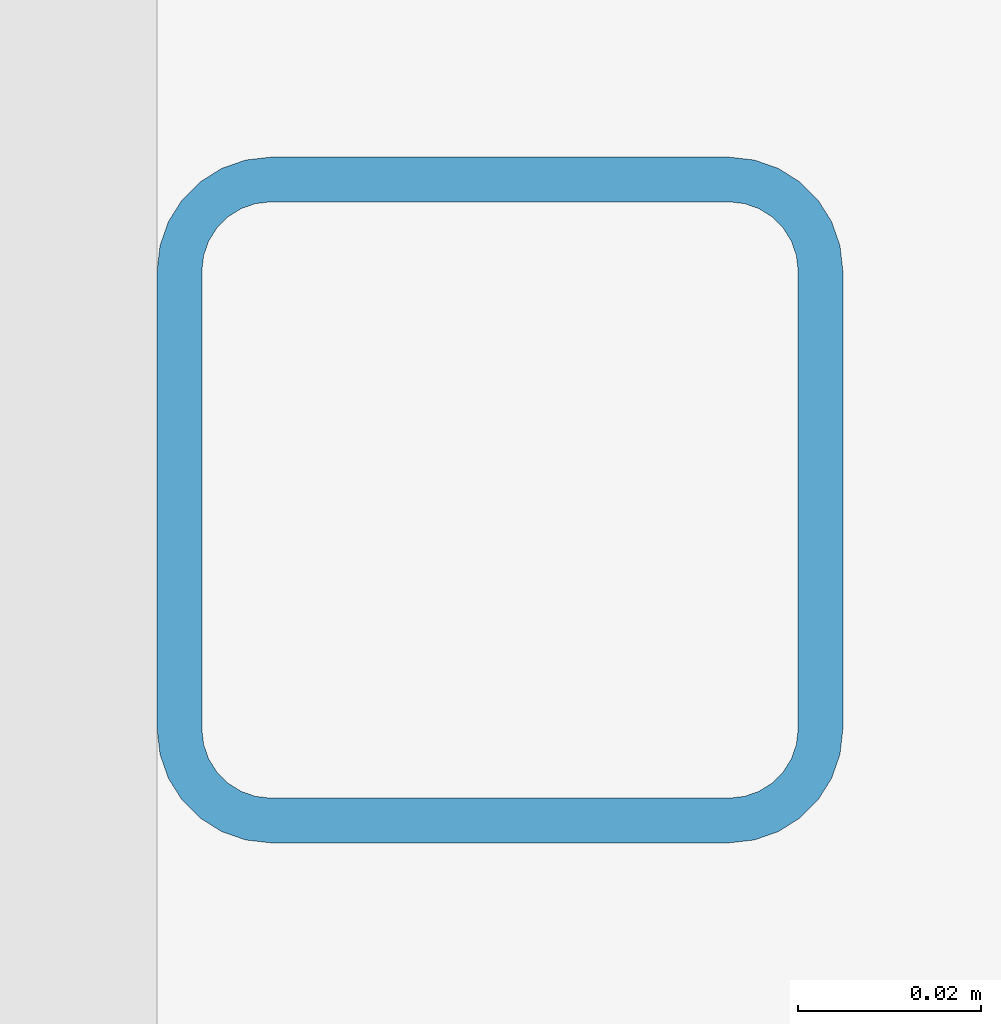
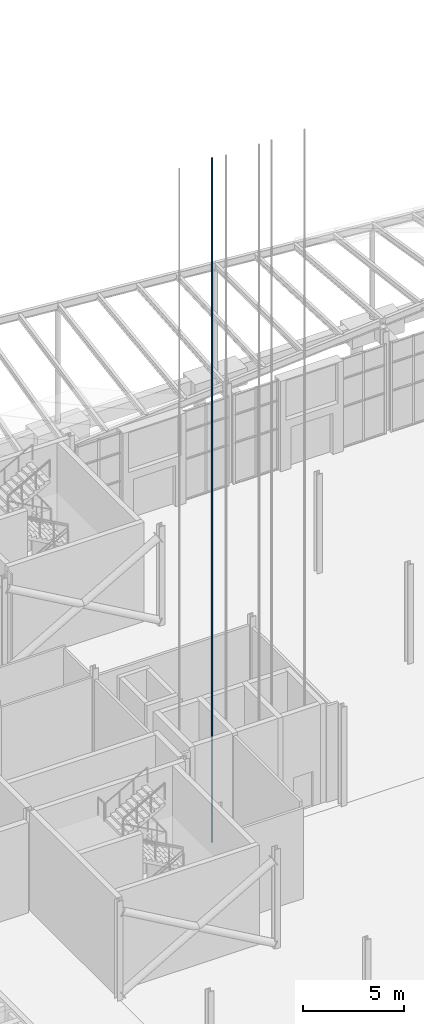
# One storey, part 56 of 139: 1 member.
"""IFC4 building model written with IfcOpenShell, lengths in metres."""

from ifc_helpers import new_model, si_unit, direction, frame, origin, origin_2d, place, context, subcontext, project, spatial, hollow_rectangle, extrude, material, material_profile, profile_set, type_object, element, save


model = new_model("IFC4")

# Units and contexts
model_context = context("Model", 3, precision=1e-05, world=origin(), true_north=direction((0.0, 1.0)))
body_context = subcontext(model_context, "Body", "Model", "MODEL_VIEW")
ifc_project = project(units=[si_unit("LENGTHUNIT", "METRE"), si_unit("AREAUNIT", "SQUARE_METRE"), si_unit("VOLUMEUNIT", "CUBIC_METRE"), si_unit("PLANEANGLEUNIT", "RADIAN"), si_unit("MASSUNIT", "GRAM", prefix="KILO")], contexts=[model_context])

# Site, building, storey
site_placement = place(None, origin())
site = spatial("IfcSite", under=ifc_project, at=site_placement, CompositionType="ELEMENT")
building_placement = place(site_placement, origin())
building = spatial("IfcBuilding", under=site, at=building_placement, Name="Shorebreak Coast Museum", CompositionType="ELEMENT")
storey_placement = place(building_placement, origin())
storey = spatial("IfcBuildingStorey", under=building, at=storey_placement, Name="L00", CompositionType="ELEMENT", Elevation=0.0)

# Member
ifc_material = material(Name="Steel Grade C450L0", Category="steel")
ifc_material_profile = material_profile(ifc_material, hollow_rectangle(XDim=0.074951171875, YDim=0.074951171875, WallThickness=0.0048828125, InnerFilletRadius=0.007568359375, OuterFilletRadius=0.012451171875, at=origin_2d()), Name="75x75x5.0 SHS")
ifc_profile_set = profile_set([ifc_material_profile], Name="Steel Grade C450L0")
member_type = type_object("IfcMemberType", Name="Lift guide rail 75x75x5.0 SHS", PredefinedType="POST", material=ifc_profile_set)
member_placement = place(storey_placement, frame((65.83740234375, 92.25, -1.5), z_axis=(0.0, 0.0, 1.0), x_axis=(1.0, 0.0, 0.0)))
element("IfcMember", 1, at=member_placement, inside=storey, type_object=member_type, Name="Firefighting Lift FL1 guide rail", PredefinedType="POST", context=body_context, shape_type="SweptSolid", body=[
    extrude(hollow_rectangle(XDim=0.074951171875, YDim=0.074951171875, WallThickness=0.0048828125, InnerFilletRadius=0.007568359375, OuterFilletRadius=0.012451171875, at=origin_2d()), origin(), (0.0, 0.0, 1.0), 41.39990234375),
])

save(model, "model.ifc")
